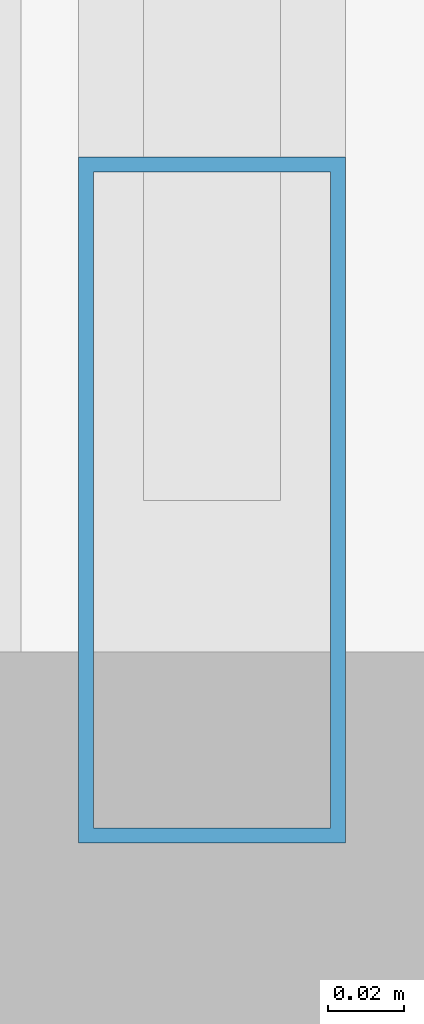
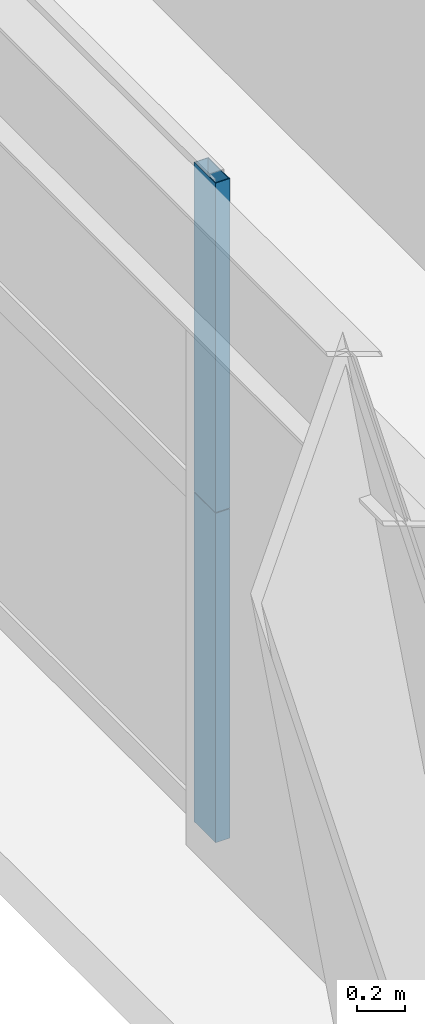
# One storey, part 7 of 43: 2 members, 1 element without a shape of its own.
"""IFC4 building model written with IfcOpenShell, lengths in metres."""

from ifc_helpers import new_model, si_unit, direction, frame, origin, origin_2d, place, context, subcontext, project, spatial, hollow_rectangle, extrude, source, transform, mapped, material, layer, layer_set, material_profile, profile_set, type_object, element, aggregate, save


model = new_model("IFC4")

# Units and contexts
model_context = context("Model", 3, precision=1e-05, world=origin(), true_north=direction((0.0, 1.0)))
body_context = subcontext(model_context, "Body", "Model", "MODEL_VIEW")
ifc_project = project(units=[si_unit("LENGTHUNIT", "METRE"), si_unit("AREAUNIT", "SQUARE_METRE"), si_unit("VOLUMEUNIT", "CUBIC_METRE"), si_unit("PLANEANGLEUNIT", "RADIAN"), si_unit("MASSUNIT", "GRAM", prefix="KILO"), si_unit("THERMODYNAMICTEMPERATUREUNIT", "KELVIN"), si_unit("POWERUNIT", "WATT")], contexts=[model_context])

# Site, building, storey
site_placement = place(None, origin())
site = spatial("IfcSite", under=ifc_project, at=site_placement, CompositionType="ELEMENT")
building_placement = place(site_placement, origin())
building = spatial("IfcBuilding", under=site, at=building_placement, Name="Yuzanri Waterfront Tower", CompositionType="ELEMENT")
storey_placement = place(building_placement, frame((0.0, 0.0, 138.0)))
storey = spatial("IfcBuildingStorey", under=building, at=storey_placement, Name="L36", CompositionType="ELEMENT", Elevation=138.0)

# Curtain wall, members
ifc_material_1 = material(Name="Anodized Architectural Bronze", Category="metal")
ifc_layer = layer(ifc_material_1, 0.159912109375)
ifc_layer_set = layer_set([ifc_layer], Name="Anodized Architectural Bronze")
curtain_wall_type = type_object("IfcCurtainWallType", Name="Anodized Bronze Hotel Upper-Tier Solar-Control Unitized Curtain Wall 7800", PredefinedType="NOTDEFINED", material=ifc_layer_set)
curtain_wall_placement = place(storey_placement, origin())
curtain_wall = element("IfcCurtainWall", 1, at=curtain_wall_placement, inside=storey, type_object=curtain_wall_type, Name="L36 Curtain Wall CW-L36-WL", PredefinedType="NOTDEFINED")
ifc_material_2 = material(Name="Anodized Architectural Bronze", Category="metal")
ifc_material_profile = material_profile(ifc_material_2, hollow_rectangle(XDim=0.070068359375, YDim=0.179931640625, WallThickness=0.00390625, at=origin_2d()), Name="CWM 70x180")
ifc_profile_set = profile_set([ifc_material_profile], Name="Anodized Architectural Bronze")
member_type = type_object("IfcMemberType", Name="Anodized Bronze Standard Curtain-Wall Mullion 70x180", PredefinedType="MULLION", material=ifc_profile_set)
shared_shape = source(origin(), body_context, "Body", "SweptSolid", [
    extrude(hollow_rectangle(XDim=0.070068359375, YDim=0.179931640625, WallThickness=0.00390625, at=origin_2d()), origin(), (0.0, 0.0, 1.0), 1.68798828125),
])
member_1_placement = place(storey_placement, frame((13.550048828125, 9.590087890625, 0.0), z_axis=(0.0, 0.0, 1.0), x_axis=(1.0, 0.0, 0.0)))
member_1 = element("IfcMember", 2, at=member_1_placement, type_object=member_type, Name="CW-L36-WL Lower Mullion 00", PredefinedType="MULLION", context=body_context, shape_type="MappedRepresentation", body=[
    mapped(shared_shape, transform((0.0, 0.0, 0.0), scale=1.0)),
])
member_2_placement = place(storey_placement, frame((13.550048828125, 9.590087890625, 1.69189453125), z_axis=(0.0, 0.0, 1.0), x_axis=(1.0, 0.0, 0.0)))
member_2 = element("IfcMember", 3, at=member_2_placement, type_object=member_type, Name="CW-L36-WL Upper Mullion 00", PredefinedType="MULLION", context=body_context, shape_type="MappedRepresentation", body=[
    mapped(shared_shape, transform((0.0, 0.0, 0.0), scale=1.0)),
])
aggregate(curtain_wall, [member_1, member_2])

save(model, "model.ifc")
